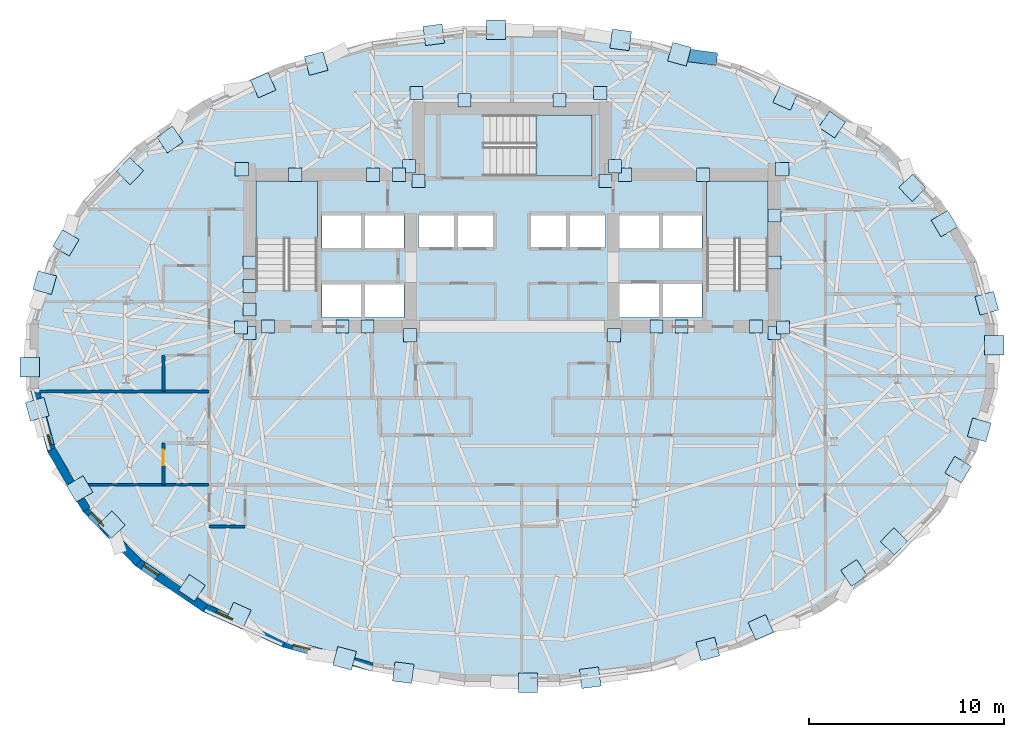
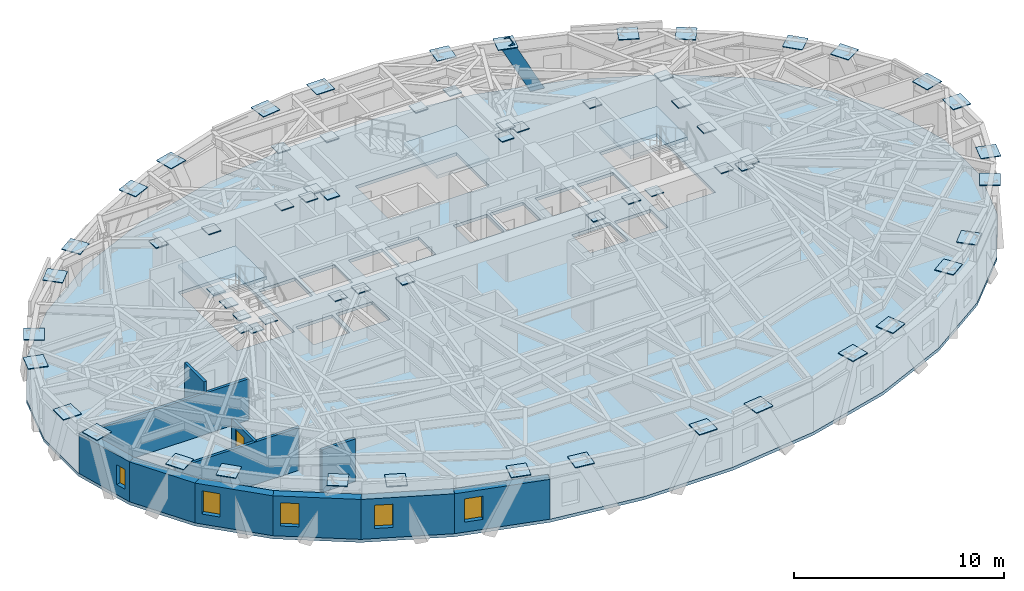
# One storey, part 5 of 14: 64 plates, 11 walls, 5 windows, 4 slabs, 1 door, 1 member, 6 openings, 3 elements without a shape of their own.
"""IFC4 building model written with IfcOpenShell, lengths in metres."""

from ifc_helpers import new_model, si_unit, direction, frame, frame_2d, origin, origin_2d, place, context, subcontext, project, spatial, polyline, rectangle, hollow_rectangle, outline, extrude, material, layer, layer_set, material_profile, profile_set, type_object, element, fill, aggregate, save


model = new_model("IFC4")

# Units and contexts
model_context = context("Model", 3, precision=1e-05, world=origin(), true_north=direction((0.0, 1.0)))
body_context = subcontext(model_context, "Body", "Model", "MODEL_VIEW")
ifc_project = project(units=[si_unit("LENGTHUNIT", "METRE"), si_unit("AREAUNIT", "SQUARE_METRE"), si_unit("VOLUMEUNIT", "CUBIC_METRE"), si_unit("PLANEANGLEUNIT", "RADIAN"), si_unit("MASSUNIT", "GRAM", prefix="KILO")], contexts=[model_context])

# Site, building, storey
site_placement = place(None, origin())
site = spatial("IfcSite", under=ifc_project, at=site_placement, CompositionType="ELEMENT")
building_placement = place(site_placement, origin())
building = spatial("IfcBuilding", under=site, at=building_placement, Name="Keldmark Tower", CompositionType="ELEMENT")
storey_placement = place(building_placement, frame((0.0, 0.0, 169.39990234375)))
storey = spatial("IfcBuildingStorey", under=building, at=storey_placement, Name="L46", CompositionType="ELEMENT", Elevation=169.39990234375)

# Member
ifc_material_1 = material(Name="Steel ASTM A572 Grade 50", Category="steel")
ifc_material_profile = material_profile(ifc_material_1, hollow_rectangle(XDim=0.64990234375, YDim=0.64990234375, WallThickness=0.0400390625, at=origin_2d()), Name="BOX650X650X40")
ifc_profile_set = profile_set([ifc_material_profile], Name="Steel ASTM A572 Grade 50")
member_type = type_object("IfcMemberType", Name="Diagrid Zone 3 Brace BOX650X650X40", PredefinedType="BRACE", material=ifc_profile_set)
member_placement = place(storey_placement, frame((10.236572265625, 15.29638671875, -0.260009765625), z_axis=(-0.459260038876, 0.061001892463, 0.886204821589), x_axis=(-0.131670035445, -0.991293600184, 0.0)))
element("IfcMember", 1, at=member_placement, inside=storey, type_object=member_type, Name="L46 Perimeter Diagrid Brace 03B", PredefinedType="BRACE", context=body_context, shape_type="SweptSolid", body=[
    extrude(hollow_rectangle(XDim=0.64990234375, YDim=0.64990234375, WallThickness=0.0400390625, at=origin_2d()), origin(), (0.0, 0.0, 1.0), 3.56591796875),
])

# Plates
ifc_material_2 = material(Name="Steel ASTM A572 Grade 50", Category="steel")
ifc_layer_1 = layer(ifc_material_2, 0.06005859375)
ifc_layer_set_1 = layer_set([ifc_layer_1], Name="Steel ASTM A572 Grade 50")
plate_type_1 = type_object("IfcPlateType", Name="Belt Truss Kink Node Assembly KN01 60 mm", PredefinedType="USERDEFINED", material=ifc_layer_set_1)
for number, where, z_axis, x_axis, name in (
    (2, (13.91162109375, 1.473388671875, 2.72412109375), (0.0, 0.0, 1.0), (1.0, 0.0, 0.0), "L46 Core Wall Cast-In Embed Plate 1346"),
    (3, (13.878173828125, 9.608154296875, 2.72412109375), (0.0, 0.0, 1.0), (1.0, 0.0, 0.0), "L46 Core Wall Cast-In Embed Plate 1347"),
    (4, (5.28515625, 9.758544921875, 2.72412109375), (0.0, 0.0, 1.0), (1.0, 0.0, 0.0), "L46 Core Wall Cast-In Embed Plate 1348"),
    (5, (-5.28515625, 9.758544921875, 2.72412109375), (0.0, 0.0, 1.0), (1.0, 0.0, 0.0), "L46 Core Wall Cast-In Embed Plate 1349"),
    (6, (-13.878173828125, 9.608154296875, 2.72412109375), (0.0, 0.0, 1.0), (1.0, 0.0, 0.0), "L46 Core Wall Cast-In Embed Plate 1350"),
    (7, (-13.91162109375, 1.473388671875, 2.72412109375), (0.0, 0.0, 1.0), (1.0, 0.0, 0.0), "L46 Core Wall Cast-In Embed Plate 1351"),
    (8, (-5.24072265625, 1.08251953125, 2.72412109375), (0.0, 0.0, 1.0), (1.0, 0.0, 0.0), "L46 Core Wall Cast-In Embed Plate 1352"),
    (9, (5.24072265625, 1.08251953125, 2.72412109375), (0.0, 0.0, 1.0), (1.0, 0.0, 0.0), "L46 Core Wall Cast-In Embed Plate 1353"),
    (10, (4.800048828125, 9.0, 2.72412109375), (0.0, 0.0, 1.0), (1.0, 0.0, 0.0), "L46 Core Wall Cast-In Embed Plate 1354"),
    (11, (-4.800048828125, 9.0, 2.72412109375), (0.0, 0.0, 1.0), (1.0, 0.0, 0.0), "L46 Core Wall Cast-In Embed Plate 1355"),
    (12, (-13.47509765625, 1.199951171875, 2.72412109375), (0.0, 0.0, 1.0), (1.0, 0.0, 0.0), "L46 Core Wall Cast-In Embed Plate 1356"),
    (13, (-7.425048828125, 1.52490234375, 2.72412109375), (0.0, 0.0, 1.0), (1.0, 0.0, 0.0), "L46 Core Wall Cast-In Embed Plate 1357"),
    (14, (7.425048828125, 1.52490234375, 2.72412109375), (0.0, 0.0, 1.0), (1.0, 0.0, 0.0), "L46 Core Wall Cast-In Embed Plate 1358"),
    (15, (13.47509765625, 1.199951171875, 2.72412109375), (0.0, 0.0, 1.0), (1.0, 0.0, 0.0), "L46 Core Wall Cast-In Embed Plate 1359"),
    (16, (-12.52490234375, 1.52490234375, 2.72412109375), (0.0, 0.0, 1.0), (1.0, 0.0, 0.0), "L46 Core Wall Cast-In Embed Plate 1360"),
    (17, (13.47509765625, 4.8212890625, 2.72412109375), (0.0, 0.0, 1.0), (1.0, 0.0, 0.0), "L46 Core Wall Cast-In Embed Plate 1361"),
    (18, (13.47509765625, 7.235595703125, 2.72412109375), (0.0, 0.0, 1.0), (1.0, 0.0, 0.0), "L46 Core Wall Cast-In Embed Plate 1362"),
    (19, (5.80712890625, 9.324951171875, 2.72412109375), (0.0, 0.0, 1.0), (1.0, 0.0, 0.0), "L46 Core Wall Cast-In Embed Plate 1363"),
    (20, (4.527587890625, 13.522216796875, 2.72412109375), (0.0, 0.0, 1.0), (1.0, 0.0, 0.0), "L46 Core Wall Cast-In Embed Plate 1364"),
    (21, (9.8037109375, 9.324951171875, 2.72412109375), (0.0, 0.0, 1.0), (1.0, 0.0, 0.0), "L46 Core Wall Cast-In Embed Plate 1365"),
    (22, (-4.904296875, 13.522216796875, 2.72412109375), (0.0, 0.0, 1.0), (1.0, 0.0, 0.0), "L46 Core Wall Cast-In Embed Plate 1366"),
    (23, (-11.1357421875, 9.324951171875, 2.72412109375), (0.0, 0.0, 1.0), (1.0, 0.0, 0.0), "L46 Core Wall Cast-In Embed Plate 1367"),
    (24, (-7.139404296875, 9.324951171875, 2.72412109375), (0.0, 0.0, 1.0), (1.0, 0.0, 0.0), "L46 Core Wall Cast-In Embed Plate 1368"),
    (25, (-5.80712890625, 9.324951171875, 2.72412109375), (0.0, 0.0, 1.0), (1.0, 0.0, 0.0), "L46 Core Wall Cast-In Embed Plate 1369"),
    (26, (-13.47509765625, 2.406982421875, 2.72412109375), (0.0, 0.0, 1.0), (1.0, 0.0, 0.0), "L46 Core Wall Cast-In Embed Plate 1370"),
    (27, (-13.47509765625, 3.6142578125, 2.72412109375), (0.0, 0.0, 1.0), (1.0, 0.0, 0.0), "L46 Core Wall Cast-In Embed Plate 1371"),
    (28, (-13.47509765625, 4.8212890625, 2.72412109375), (0.0, 0.0, 1.0), (1.0, 0.0, 0.0), "L46 Core Wall Cast-In Embed Plate 1372"),
    (29, (-8.699951171875, 1.52490234375, 2.72412109375), (0.0, 0.0, 1.0), (1.0, 0.0, 0.0), "L46 Core Wall Cast-In Embed Plate 1373"),
    (30, (8.699951171875, 1.52490234375, 2.72412109375), (0.0, 0.0, 1.0), (1.0, 0.0, 0.0), "L46 Core Wall Cast-In Embed Plate 1374"),
    (31, (12.52490234375, 1.52490234375, 2.72412109375), (0.0, 0.0, 1.0), (1.0, 0.0, 0.0), "L46 Core Wall Cast-In Embed Plate 1375"),
    (32, (2.44580078125, 13.14990234375, 2.72412109375), (0.0, 0.0, 1.0), (1.0, 0.0, 0.0), "L46 Core Wall Cast-In Embed Plate 1376"),
    (33, (-2.44580078125, 13.14990234375, 2.72412109375), (0.0, 0.0, 1.0), (1.0, 0.0, 0.0), "L46 Core Wall Cast-In Embed Plate 1377"),
):
    element("IfcPlate", number, at=place(storey_placement, frame(where, z_axis=z_axis, x_axis=x_axis)), inside=storey, type_object=plate_type_1, Name=name, ObjectType="CAP PLATE", PredefinedType="USERDEFINED", context=body_context, shape_type="SweptSolid", body=[
        extrude(rectangle(XDim=0.679931640625, YDim=0.679931640625, at=origin_2d()), origin(), (0.0, 0.0, 1.0), 0.054931640625),
    ])
ifc_material_3 = material(Name="Steel ASTM A572 Grade 50", Category="steel")
ifc_layer_2 = layer(ifc_material_3, 0.044921875)
ifc_layer_set_2 = layer_set([ifc_layer_2], Name="Steel ASTM A572 Grade 50")
plate_type_2 = type_object("IfcPlateType", Name="Diagrid Node Assembly DN04 45 mm", PredefinedType="USERDEFINED", material=ifc_layer_set_2)
for number, where, z_axis, x_axis, name in (
    (34, (24.38427734375, 2.7216796875, 2.877685546875), (0.0, 0.0, 1.0), (-0.269256011385, 0.963068637394, 0.0), "L46 Diagrid Node Assembly 01"),
    (35, (22.2041015625, 6.812744140625, 2.877685546875), (0.0, 0.0, 1.0), (-0.508891180174, 0.860830858381, 0.0), "L46 Diagrid Node Assembly 02"),
    (36, (20.5615234375, 8.652099609375, 2.877685546875), (0.0, 0.0, 1.0), (-0.694909425092, 0.719097275004, 0.0), "L46 Diagrid Node Assembly 03"),
    (37, (16.439697265625, 11.896484375, 2.877685546875), (0.0, 0.0, 1.0), (-0.827766671236, 0.56107248907, 0.0), "L46 Diagrid Node Assembly 04"),
    (38, (14.047607421875, 13.28759765625, 2.877685546875), (0.0, 0.0, 1.0), (-0.913900054426, 0.405939269498, 0.0), "L46 Diagrid Node Assembly 05"),
    (39, (8.598876953125, 15.513916015625, 2.877685546875), (0.0, 0.0, 1.0), (-0.965016494472, 0.262189178641, 0.0), "L46 Diagrid Node Assembly 06"),
    (40, (5.583740234375, 16.249267578125, 2.877685546875), (0.0, 0.0, 1.0), (-0.991850028246, 0.12741083733, 0.0), "L46 Diagrid Node Assembly 07"),
    (41, (-0.8212890625, 16.774658203125, 2.877685546875), (0.0, 0.0, 1.0), (-1.0, 0.0, 0.0), "L46 Diagrid Node Assembly 08"),
    (42, (-4.017578125, 16.5107421875, 2.877685546875), (0.0, 0.0, 1.0), (-0.991850028246, -0.12741083733, 0.0), "L46 Diagrid Node Assembly 09"),
    (43, (-10.05810546875, 15.033447265625, 2.877685546875), (0.0, 0.0, 1.0), (-0.965016494472, -0.262189178641, 0.0), "L46 Diagrid Node Assembly 10"),
    (44, (-12.776611328125, 13.921630859375, 2.877685546875), (0.0, 0.0, 1.0), (-0.913900054426, -0.405939269498, 0.0), "L46 Diagrid Node Assembly 11"),
    (45, (-17.5673828125, 11.12939453125, 2.877685546875), (0.0, 0.0, 1.0), (-0.827766671236, -0.56107248907, 0.0), "L46 Diagrid Node Assembly 12"),
    (46, (-19.623291015625, 9.5107421875, 2.877685546875), (0.0, 0.0, 1.0), (-0.694909425092, -0.719097275004, 0.0), "L46 Diagrid Node Assembly 13"),
    (47, (-22.91064453125, 5.820068359375, 2.877685546875), (0.0, 0.0, 1.0), (-0.508891180174, -0.860830858381, 0.0), "L46 Diagrid Node Assembly 14"),
    (48, (-23.997314453125, 3.779541015625, 2.877685546875), (0.0, 0.0, 1.0), (-0.269256011385, -0.963068637394, 0.0), "L46 Diagrid Node Assembly 15"),
    (49, (-24.7734375, -0.55859375, 2.877685546875), (0.0, 0.0, 1.0), (0.0, -1.0, 0.0), "L46 Diagrid Node Assembly 16"),
    (50, (-24.38427734375, -2.7216796875, 2.877685546875), (0.0, 0.0, 1.0), (0.269256011385, -0.963068637394, 0.0), "L46 Diagrid Node Assembly 17"),
    (51, (-22.2041015625, -6.812744140625, 2.877685546875), (0.0, 0.0, 1.0), (0.508891180174, -0.860830858381, 0.0), "L46 Diagrid Node Assembly 18"),
    (52, (-20.5615234375, -8.652099609375, 2.877685546875), (0.0, 0.0, 1.0), (0.694909425092, -0.719097275004, 0.0), "L46 Diagrid Node Assembly 19"),
    (53, (-16.439697265625, -11.896484375, 2.877685546875), (0.0, 0.0, 1.0), (0.827766671236, -0.56107248907, 0.0), "L46 Diagrid Node Assembly 20"),
    (54, (-14.047607421875, -13.28759765625, 2.877685546875), (0.0, 0.0, 1.0), (0.913900054426, -0.405939269498, 0.0), "L46 Diagrid Node Assembly 21"),
    (55, (-8.598876953125, -15.513916015625, 2.877685546875), (0.0, 0.0, 1.0), (0.965016494472, -0.262189178641, 0.0), "L46 Diagrid Node Assembly 22"),
    (56, (-5.583740234375, -16.249267578125, 2.877685546875), (0.0, 0.0, 1.0), (0.991850028246, -0.12741083733, 0.0), "L46 Diagrid Node Assembly 23"),
    (57, (0.8212890625, -16.774658203125, 2.877685546875), (0.0, 0.0, 1.0), (1.0, 0.0, 0.0), "L46 Diagrid Node Assembly 24"),
    (58, (4.017578125, -16.5107421875, 2.877685546875), (0.0, 0.0, 1.0), (0.991850028246, 0.12741083733, 0.0), "L46 Diagrid Node Assembly 25"),
    (59, (10.05810546875, -15.033447265625, 2.877685546875), (0.0, 0.0, 1.0), (0.965016494472, 0.262189178641, 0.0), "L46 Diagrid Node Assembly 26"),
    (60, (12.776611328125, -13.921630859375, 2.877685546875), (0.0, 0.0, 1.0), (0.913900054426, 0.405939269498, 0.0), "L46 Diagrid Node Assembly 27"),
    (61, (17.5673828125, -11.12939453125, 2.877685546875), (0.0, 0.0, 1.0), (0.827766671236, 0.56107248907, 0.0), "L46 Diagrid Node Assembly 28"),
    (62, (19.623291015625, -9.5107421875, 2.877685546875), (0.0, 0.0, 1.0), (0.694909425092, 0.719097275004, 0.0), "L46 Diagrid Node Assembly 29"),
    (63, (22.91064453125, -5.820068359375, 2.877685546875), (0.0, 0.0, 1.0), (0.508891180174, 0.860830858381, 0.0), "L46 Diagrid Node Assembly 30"),
    (64, (23.997314453125, -3.779541015625, 2.877685546875), (0.0, 0.0, 1.0), (0.269256011385, 0.963068637394, 0.0), "L46 Diagrid Node Assembly 31"),
    (65, (24.7734375, 0.55859375, 2.877685546875), (0.0, 0.0, 1.0), (0.0, 1.0, 0.0), "L46 Diagrid Node Assembly 32"),
):
    element("IfcPlate", number, at=place(storey_placement, frame(where, z_axis=z_axis, x_axis=x_axis)), inside=storey, type_object=plate_type_2, Name=name, ObjectType="GUSSET", PredefinedType="USERDEFINED", context=body_context, shape_type="SweptSolid", body=[
        extrude(rectangle(XDim=0.989990234375, YDim=0.989990234375, at=origin_2d()), origin(), (0.0, 0.0, 1.0), 0.044921875),
    ])

# Slab
ifc_material_4 = material(Name="Concrete C35/45", Category="concrete")
ifc_layer_3 = layer(ifc_material_4, 0.179931640625)
ifc_layer_set_3 = layer_set([ifc_layer_3], Name="Concrete C35/45")
slab_type_1 = type_object("IfcSlabType", Name="Hotel and Residential Slab 180 mm", PredefinedType="FLOOR", material=ifc_layer_set_3)
slab_1_placement = place(storey_placement, frame((0.0, 0.0, -0.179931640625)))
element("IfcSlab", 66, at=slab_1_placement, inside=storey, type_object=slab_type_1, Name="L46 Composite Structural Floor Slab", PredefinedType="FLOOR", context=body_context, shape_type="SweptSolid", body=[
    extrude(outline(polyline([(24.76611328125, 1.653564453125), (23.85693359375, 4.90576171875), (22.036865234375, 7.984619140625), (19.349853515625, 10.7646484375), (15.8798828125, 13.11669921875), (11.77880859375, 14.93798828125), (7.23681640625, 16.171875), (2.439208984375, 16.7880859375), (-2.439208984375, 16.7880859375), (-7.23681640625, 16.171875), (-11.77880859375, 14.93798828125), (-15.8798828125, 13.11669921875), (-19.349853515625, 10.7646484375), (-22.036865234375, 7.984619140625), (-23.85693359375, 4.90576171875), (-24.76611328125, 1.653564453125), (-24.76611328125, -1.653564453125), (-23.85693359375, -4.90576171875), (-22.036865234375, -7.984619140625), (-19.349853515625, -10.7646484375), (-15.8798828125, -13.11669921875), (-11.77880859375, -14.93798828125), (-7.23681640625, -16.171875), (-2.439208984375, -16.7880859375), (2.439208984375, -16.7880859375), (7.23681640625, -16.171875), (11.77880859375, -14.93798828125), (15.8798828125, -13.11669921875), (19.349853515625, -10.7646484375), (22.036865234375, -7.984619140625), (23.85693359375, -4.90576171875), (24.76611328125, -1.653564453125), (24.76611328125, 1.653564453125)]), holes=[polyline([(-10.0, 3.385009765625), (-10.0, 9.0), (-13.14990234375, 9.0), (-13.14990234375, 3.385009765625), (-10.0, 3.385009765625)]), polyline([(13.14990234375, 3.385009765625), (13.14990234375, 9.0), (10.0, 9.0), (10.0, 3.385009765625), (13.14990234375, 3.385009765625)]), polyline([(-1.43994140625, 9.25), (4.10498046875, 9.25), (4.10498046875, 12.39990234375), (-1.43994140625, 12.39990234375), (-1.43994140625, 9.25)]), polyline([(-9.75, 2.0), (-7.75, 2.0), (-7.75, 3.699951171875), (-9.75, 3.699951171875), (-9.75, 2.0)]), polyline([(7.75, 2.0), (9.75, 2.0), (9.75, 3.699951171875), (7.75, 3.699951171875), (7.75, 2.0)]), polyline([(5.449951171875, 2.0), (7.550048828125, 2.0), (7.550048828125, 3.75), (5.449951171875, 3.75), (5.449951171875, 2.0)]), polyline([(-4.800048828125, 5.60009765625), (-2.949951171875, 5.60009765625), (-2.949951171875, 7.25), (-4.800048828125, 7.25), (-4.800048828125, 5.60009765625)]), polyline([(-2.800048828125, 5.60009765625), (-0.949951171875, 5.60009765625), (-0.949951171875, 7.25), (-2.800048828125, 7.25), (-2.800048828125, 5.60009765625)]), polyline([(0.949951171875, 5.60009765625), (2.800048828125, 5.60009765625), (2.800048828125, 7.25), (0.949951171875, 7.25), (0.949951171875, 5.60009765625)]), polyline([(2.949951171875, 5.60009765625), (4.800048828125, 5.60009765625), (4.800048828125, 7.25), (2.949951171875, 7.25), (2.949951171875, 5.60009765625)]), polyline([(-9.75, 5.550048828125), (-7.75, 5.550048828125), (-7.75, 7.25), (-9.75, 7.25), (-9.75, 5.550048828125)]), polyline([(-7.550048828125, 5.550048828125), (-5.550048828125, 5.550048828125), (-5.550048828125, 7.25), (-7.550048828125, 7.25), (-7.550048828125, 5.550048828125)]), polyline([(-7.550048828125, 2.0), (-5.550048828125, 2.0), (-5.550048828125, 3.699951171875), (-7.550048828125, 3.699951171875), (-7.550048828125, 2.0)]), polyline([(5.449951171875, 5.550048828125), (7.550048828125, 5.550048828125), (7.550048828125, 7.25), (5.449951171875, 7.25), (5.449951171875, 5.550048828125)]), polyline([(7.75, 5.550048828125), (9.75, 5.550048828125), (9.75, 7.25), (7.75, 7.25), (7.75, 5.550048828125)])]), origin(), (0.0, 0.0, 1.0), 0.179931640625),
])

# Stair, slab
ifc_material_5 = material(Name="Concrete C40/50", Category="concrete")
stair_type = type_object("IfcStairType", Name="Precast Concrete Core Exit Stair", PredefinedType="HALF_TURN_STAIR", material=ifc_material_5)
stair_1_placement = place(storey_placement, origin())
stair_1 = element("IfcStair", 67, at=stair_1_placement, inside=storey, type_object=stair_type, Name="L46 Exit Stair ST1", PredefinedType="HALF_TURN_STAIR")
ifc_material_6 = material(Name="Concrete C40/50", Category="concrete")
ifc_layer_4 = layer(ifc_material_6, 0.199951171875)
ifc_layer_set_4 = layer_set([ifc_layer_4], Name="Concrete C40/50")
slab_type_2 = type_object("IfcSlabType", Name="Reinforced Concrete Stair Landing 200 mm", PredefinedType="LANDING", material=ifc_layer_set_4)
slab_2_placement = place(storey_placement, frame((0.0, 0.0, 1.400146484375)))
slab_2 = element("IfcSlab", 68, at=slab_2_placement, type_object=slab_type_2, Name="ST1 landing 1", PredefinedType="LANDING", context=body_context, shape_type="SweptSolid", body=[
    extrude(outline(polyline([(-10.0, 6.050048828125), (-10.0, 9.0), (-13.14990234375, 9.0), (-13.14990234375, 6.050048828125), (-10.0, 6.050048828125)])), origin(), (0.0, 0.0, 1.0), 0.199951171875),
])
aggregate(stair_1, [slab_2])

stair_2_placement = place(storey_placement, origin())
stair_2 = element("IfcStair", 69, at=stair_2_placement, inside=storey, type_object=stair_type, Name="L46 Exit Stair ST2", PredefinedType="HALF_TURN_STAIR")
slab_3_placement = place(storey_placement, frame((0.0, 0.0, 1.400146484375)))
slab_3 = element("IfcSlab", 70, at=slab_3_placement, type_object=slab_type_2, Name="ST2 landing 1", PredefinedType="LANDING", context=body_context, shape_type="SweptSolid", body=[
    extrude(outline(polyline([(13.14990234375, 6.050048828125), (13.14990234375, 9.0), (10.0, 9.0), (10.0, 6.050048828125), (13.14990234375, 6.050048828125)])), origin(), (0.0, 0.0, 1.0), 0.199951171875),
])
aggregate(stair_2, [slab_3])

stair_3_placement = place(storey_placement, origin())
stair_3 = element("IfcStair", 71, at=stair_3_placement, inside=storey, type_object=stair_type, Name="L46 Exit Stair ST3", PredefinedType="HALF_TURN_STAIR")
slab_4_placement = place(storey_placement, frame((0.0, 0.0, 1.400146484375)))
slab_4 = element("IfcSlab", 72, at=slab_4_placement, type_object=slab_type_2, Name="ST3 landing 1", PredefinedType="LANDING", context=body_context, shape_type="SweptSolid", body=[
    extrude(outline(polyline([(1.22509765625, 9.25), (4.10498046875, 9.25), (4.10498046875, 12.39990234375), (1.22509765625, 12.39990234375), (1.22509765625, 9.25)])), origin(), (0.0, 0.0, 1.0), 0.199951171875),
])
aggregate(stair_3, [slab_4])

# Wall, opening, window
ifc_material_7 = material(Name="Ironspot Manganese Brick and Kasota Buff Limestone Spandrel Assembly", Category="masonry")
ifc_layer_5 = layer(ifc_material_7, 0.43994140625)
ifc_layer_set_5 = layer_set([ifc_layer_5], Name="Ironspot Manganese Brick and Kasota Buff Limestone Spandrel Assembly")
wall_type_1 = type_object("IfcWallType", Name="Tower Brick Pier and Spandrel Wall 440 mm", PredefinedType="STANDARD", material=ifc_layer_set_5)
wall_1_placement = place(storey_placement, frame((-23.64501953125, -4.846435546875, 0.0), z_axis=(0.0, 0.0, 1.0), x_axis=(-0.269235699479, 0.963074315993, 0.0)))
wall_1 = element("IfcWall", 73, at=wall_1_placement, inside=storey, type_object=wall_type_1, Name="L46 Exterior Brick and Spandrel Wall 17", PredefinedType="STANDARD", context=body_context, shape_type="SweptSolid", body=[
    extrude(rectangle(XDim=3.376953125, YDim=0.43994140625, at=frame_2d((1.6884765625, 0.0))), origin(), (0.0, 0.0, 1.0), 2.315185546875),
])
opening_1_placement = place(wall_1_placement, frame((0.289306640625, 0.0, 0.580078125)))
opening_1 = element("IfcOpeningElement", 74, at=opening_1_placement, cuts=wall_1, Name="Opening W-10", PredefinedType="OPENING", context=body_context, shape_type="SweptSolid", body=[
    extrude(rectangle(XDim=0.56005859375, YDim=1.14990234375, at=frame_2d((0.280029296875, 0.574951171875))), frame((0.0, 0.22998046875, 0.0), z_axis=(0.0, -1.0, 0.0), x_axis=(1.0, 0.0, 0.0)), (0.0, 0.0, 1.0), 0.4599609375),
])
ifc_material_8 = material(Name="Thermally Broken Anodized Aluminum and Triple Low-E Argon Glazing", Category="aluminium")
window_type_1 = type_object("IfcWindowType", Name="Narrow Pier Lancet Window 560x1150", PartitioningType="SINGLE_PANEL", PredefinedType="WINDOW", material=ifc_material_8)
window_1_placement = place(opening_1_placement, origin())
window_1 = element("IfcWindow", 75, at=window_1_placement, inside=storey, type_object=window_type_1, Name="L46 Pier Window RM01", OverallHeight=1.14990234375, OverallWidth=0.56005859375, PartitioningType="SINGLE_PANEL", PredefinedType="WINDOW", context=body_context, shape_type="SweptSolid", body=[
    extrude(rectangle(XDim=0.56005859375, YDim=1.14990234375, at=frame_2d((0.280029296875, 0.574951171875))), frame((0.0, -0.010009765625, 0.0), z_axis=(0.0, -1.0, 0.0), x_axis=(1.0, 0.0, 0.0)), (0.0, 0.0, 1.0), 0.06005859375),
])
fill(opening_1, window_1)

# Wall
wall_2_placement = place(storey_placement, frame((-21.847412109375, -7.87255859375, 0.0), z_axis=(0.0, 0.0, 1.0), x_axis=(-0.508883387051, 0.860835465338, 0.0)))
element("IfcWall", 76, at=wall_2_placement, inside=storey, type_object=wall_type_1, Name="L46 Exterior Brick and Spandrel Wall 18", PredefinedType="STANDARD", context=body_context, shape_type="SweptSolid", body=[
    extrude(rectangle(XDim=3.57666015625, YDim=0.43994140625, at=frame_2d((1.788330078125, 0.0))), origin(), (0.0, 0.0, 1.0), 2.315185546875),
])

# Wall, opening, window
wall_3_placement = place(storey_placement, frame((-19.191650390625, -10.61181640625, 0.0), z_axis=(0.0, 0.0, 1.0), x_axis=(-0.694975307772, 0.719033602544, 0.0)))
wall_3 = element("IfcWall", 77, at=wall_3_placement, inside=storey, type_object=wall_type_1, Name="L46 Exterior Brick and Spandrel Wall 19", PredefinedType="STANDARD", context=body_context, shape_type="SweptSolid", body=[
    extrude(rectangle(XDim=3.866455078125, YDim=0.43994140625, at=frame_2d((1.93310546875, 0.0))), origin(), (0.0, 0.0, 1.0), 2.315185546875),
])
opening_2_placement = place(wall_3_placement, frame((2.6181640625, 0.0, 0.580078125)))
opening_2 = element("IfcOpeningElement", 78, at=opening_2_placement, cuts=wall_3, Name="Opening W-09", PredefinedType="OPENING", context=body_context, shape_type="SweptSolid", body=[
    extrude(rectangle(XDim=0.89990234375, YDim=1.35009765625, at=frame_2d((0.449951171875, 0.675048828125))), frame((0.0, 0.22998046875, 0.0), z_axis=(0.0, -1.0, 0.0), x_axis=(1.0, 0.0, 0.0)), (0.0, 0.0, 1.0), 0.4599609375),
])
ifc_material_9 = material(Name="Thermally Broken Anodized Aluminum and Triple Low-E Argon Glazing", Category="aluminium")
window_type_2 = type_object("IfcWindowType", Name="Corner Pier Deep-Set Window 900x1350", PartitioningType="SINGLE_PANEL", PredefinedType="WINDOW", material=ifc_material_9)
window_2_placement = place(opening_2_placement, origin())
window_2 = element("IfcWindow", 79, at=window_2_placement, inside=storey, type_object=window_type_2, Name="L46 Deep-Set Window 19", OverallHeight=1.35009765625, OverallWidth=0.89990234375, PartitioningType="SINGLE_PANEL", PredefinedType="WINDOW", context=body_context, shape_type="SweptSolid", body=[
    extrude(rectangle(XDim=0.89990234375, YDim=1.35009765625, at=frame_2d((0.449951171875, 0.675048828125))), frame((0.0, -0.010009765625, 0.0), z_axis=(0.0, -1.0, 0.0), x_axis=(1.0, 0.0, 0.0)), (0.0, 0.0, 1.0), 0.06005859375),
])
fill(opening_2, window_2)

wall_4_placement = place(storey_placement, frame((-15.756591796875, -12.9345703125, 0.0), z_axis=(0.0, 0.0, 1.0), x_axis=(-0.827760762475, 0.561081206338, 0.0)))
wall_4 = element("IfcWall", 80, at=wall_4_placement, inside=storey, type_object=wall_type_1, Name="L46 Exterior Brick and Spandrel Wall 20", PredefinedType="STANDARD", context=body_context, shape_type="SweptSolid", body=[
    extrude(rectangle(XDim=4.19189453125, YDim=0.43994140625, at=frame_2d((2.095947265625, 0.0))), origin(), (0.0, 0.0, 1.0), 2.319091796875),
])
opening_3_placement = place(wall_4_placement, frame((2.9423828125, 0.0, 0.580078125)))
opening_3 = element("IfcOpeningElement", 81, at=opening_3_placement, cuts=wall_4, Name="Opening W-09", PredefinedType="OPENING", context=body_context, shape_type="SweptSolid", body=[
    extrude(rectangle(XDim=0.89990234375, YDim=1.35009765625, at=frame_2d((0.449951171875, 0.675048828125))), frame((0.0, 0.22998046875, 0.0), z_axis=(0.0, -1.0, 0.0), x_axis=(1.0, 0.0, 0.0)), (0.0, 0.0, 1.0), 0.4599609375),
])
window_3_placement = place(opening_3_placement, origin())
window_3 = element("IfcWindow", 82, at=window_3_placement, inside=storey, type_object=window_type_2, Name="L46 Deep-Set Window 20", OverallHeight=1.35009765625, OverallWidth=0.89990234375, PartitioningType="SINGLE_PANEL", PredefinedType="WINDOW", context=body_context, shape_type="SweptSolid", body=[
    extrude(rectangle(XDim=0.89990234375, YDim=1.35009765625, at=frame_2d((0.449951171875, 0.675048828125))), frame((0.0, -0.010009765625, 0.0), z_axis=(0.0, -1.0, 0.0), x_axis=(1.0, 0.0, 0.0)), (0.0, 0.0, 1.0), 0.06005859375),
])
fill(opening_3, window_3)

wall_5_placement = place(storey_placement, frame((-11.689697265625, -14.737060546875, 0.0), z_axis=(0.0, 0.0, 1.0), x_axis=(-0.913907994914, 0.405921392431, 0.0)))
wall_5 = element("IfcWall", 83, at=wall_5_placement, inside=storey, type_object=wall_type_1, Name="L46 Exterior Brick and Spandrel Wall 21", PredefinedType="STANDARD", context=body_context, shape_type="SweptSolid", body=[
    extrude(rectangle(XDim=4.4873046875, YDim=0.43994140625, at=frame_2d((2.24365234375, 0.0))), origin(), (0.0, 0.0, 1.0), 2.315185546875),
])
opening_4_placement = place(wall_5_placement, frame((2.939208984375, 0.0, 0.580078125)))
opening_4 = element("IfcOpeningElement", 84, at=opening_4_placement, cuts=wall_5, Name="Opening W-09", PredefinedType="OPENING", context=body_context, shape_type="SweptSolid", body=[
    extrude(rectangle(XDim=0.89990234375, YDim=1.35009765625, at=frame_2d((0.449951171875, 0.675048828125))), frame((0.0, 0.22998046875, 0.0), z_axis=(0.0, -1.0, 0.0), x_axis=(1.0, 0.0, 0.0)), (0.0, 0.0, 1.0), 0.4599609375),
])
window_4_placement = place(opening_4_placement, origin())
window_4 = element("IfcWindow", 85, at=window_4_placement, inside=storey, type_object=window_type_2, Name="L46 Deep-Set Window 21", OverallHeight=1.35009765625, OverallWidth=0.89990234375, PartitioningType="SINGLE_PANEL", PredefinedType="WINDOW", context=body_context, shape_type="SweptSolid", body=[
    extrude(rectangle(XDim=0.89990234375, YDim=1.35009765625, at=frame_2d((0.449951171875, 0.675048828125))), frame((0.0, -0.010009765625, 0.0), z_axis=(0.0, -1.0, 0.0), x_axis=(1.0, 0.0, 0.0)), (0.0, 0.0, 1.0), 0.06005859375),
])
fill(opening_4, window_4)

wall_6_placement = place(storey_placement, frame((-7.17919921875, -15.95947265625, 0.0), z_axis=(0.0, 0.0, 1.0), x_axis=(-0.965037424263, 0.262112132058, 0.0)))
wall_6 = element("IfcWall", 86, at=wall_6_placement, inside=storey, type_object=wall_type_1, Name="L46 Exterior Brick and Spandrel Wall 22", PredefinedType="STANDARD", context=body_context, shape_type="SweptSolid", body=[
    extrude(rectangle(XDim=4.70654296875, YDim=0.43994140625, at=frame_2d((2.353271484375, 0.0))), origin(), (0.0, 0.0, 1.0), 2.315185546875),
])
opening_5_placement = place(wall_6_placement, frame((3.310302734375, 0.0, 0.580078125)))
opening_5 = element("IfcOpeningElement", 87, at=opening_5_placement, cuts=wall_6, Name="Opening W-09", PredefinedType="OPENING", context=body_context, shape_type="SweptSolid", body=[
    extrude(rectangle(XDim=0.89990234375, YDim=1.35009765625, at=frame_2d((0.449951171875, 0.675048828125))), frame((0.0, 0.22998046875, 0.0), z_axis=(0.0, -1.0, 0.0), x_axis=(1.0, 0.0, 0.0)), (0.0, 0.0, 1.0), 0.4599609375),
])
window_5_placement = place(opening_5_placement, origin())
window_5 = element("IfcWindow", 88, at=window_5_placement, inside=storey, type_object=window_type_2, Name="L46 Deep-Set Window 22", OverallHeight=1.35009765625, OverallWidth=0.89990234375, PartitioningType="SINGLE_PANEL", PredefinedType="WINDOW", context=body_context, shape_type="SweptSolid", body=[
    extrude(rectangle(XDim=0.89990234375, YDim=1.35009765625, at=frame_2d((0.449951171875, 0.675048828125))), frame((0.0, -0.010009765625, 0.0), z_axis=(0.0, -1.0, 0.0), x_axis=(1.0, 0.0, 0.0)), (0.0, 0.0, 1.0), 0.06005859375),
])
fill(opening_5, window_5)

# Walls
ifc_material_10 = material(Name="Moisture-Resistant Gypsum Plumbing Partition", Category="gypsum")
ifc_layer_6 = layer(ifc_material_10, 0.14990234375)
ifc_layer_set_6 = layer_set([ifc_layer_6], Name="Moisture-Resistant Gypsum Plumbing Partition")
wall_type_2 = type_object("IfcWallType", Name="Wet Wall 150 mm", PredefinedType="PLUMBINGWALL", material=ifc_layer_set_6)
wall_7_placement = place(storey_placement, frame((-22.334716796875, -6.60009765625, 0.0), z_axis=(0.0, 0.0, 1.0), x_axis=(1.0, 0.0, 0.0)))
element("IfcWall", 89, at=wall_7_placement, inside=storey, type_object=wall_type_2, Name="L46 Wet Wall 150 mm HW-CAP-S", PredefinedType="PLUMBINGWALL", context=body_context, shape_type="SweptSolid", body=[
    extrude(rectangle(XDim=6.78466796875, YDim=0.14990234375, at=frame_2d((3.392333984375, 0.0))), origin(), (0.0, 0.0, 1.0), 2.47314453125),
])
wall_8_placement = place(storey_placement, frame((-15.550048828125, -8.75, 0.0), z_axis=(0.0, 0.0, 1.0), x_axis=(1.0, 0.0, 0.0)))
element("IfcWall", 90, at=wall_8_placement, inside=storey, type_object=wall_type_2, Name="L46 Wet Wall 150 mm HB-S1-S", PredefinedType="PLUMBINGWALL", context=body_context, shape_type="SweptSolid", body=[
    extrude(rectangle(XDim=1.85009765625, YDim=0.14990234375, at=frame_2d((0.925048828125, 0.0))), origin(), (0.0, 0.0, 1.0), 2.47314453125),
])
wall_9_placement = place(storey_placement, frame((-24.260009765625, -1.800048828125, 0.0), z_axis=(0.0, 0.0, 1.0), x_axis=(1.0, 0.0, 0.0)))
element("IfcWall", 91, at=wall_9_placement, inside=storey, type_object=wall_type_2, Name="L46 Wet Wall 150 mm HW-DIV-1", PredefinedType="PLUMBINGWALL", context=body_context, shape_type="SweptSolid", body=[
    extrude(rectangle(XDim=8.7099609375, YDim=0.14990234375, at=frame_2d((4.35498046875, 0.0))), origin(), (0.0, 0.0, 1.0), 2.398193359375),
])

# Wall, opening, door
wall_10_placement = place(storey_placement, frame((-17.89990234375, -6.60009765625, 0.0), z_axis=(0.0, 0.0, 1.0), x_axis=(0.0, 1.0, 0.0)))
wall_10 = element("IfcWall", 92, at=wall_10_placement, inside=storey, type_object=wall_type_2, Name="L46 Wet Wall 150 mm HB-3-IN", PredefinedType="PLUMBINGWALL", context=body_context, shape_type="SweptSolid", body=[
    extrude(rectangle(XDim=2.150146484375, YDim=0.14990234375, at=frame_2d((1.0751953125, 0.0))), origin(), (0.0, 0.0, 1.0), 2.47314453125),
])
opening_6_placement = place(wall_10_placement, frame((1.0, 0.0, 0.0)))
opening_6 = element("IfcOpeningElement", 93, at=opening_6_placement, cuts=wall_10, Name="Opening D-BT080", PredefinedType="OPENING", context=body_context, shape_type="SweptSolid", body=[
    extrude(rectangle(XDim=0.800048828125, YDim=2.10009765625, at=frame_2d((0.39990234375, 1.050048828125))), frame((0.0, 0.0849609375, 0.0), z_axis=(0.0, -1.0, 0.0), x_axis=(1.0, 0.0, 0.0)), (0.0, 0.0, 1.0), 0.169921875),
])
ifc_material_11 = material(Name="Moisture-Sealed Stained Wood", Category="wood")
door_type = type_object("IfcDoorType", Name="Bathroom Door 800x2100", OperationType="NOTDEFINED", PredefinedType="DOOR", material=ifc_material_11)
door_placement = place(opening_6_placement, origin())
door = element("IfcDoor", 94, at=door_placement, inside=storey, type_object=door_type, Name="L46 Bathroom Door 800x2100 D-HB-3-L46", OperationType="SINGLE_SWING_LEFT", OverallHeight=2.10009765625, OverallWidth=0.800048828125, PredefinedType="DOOR", context=body_context, shape_type="SweptSolid", body=[
    extrude(rectangle(XDim=0.800048828125, YDim=2.10009765625, at=frame_2d((0.39990234375, 1.050048828125))), frame((0.0, 0.02490234375, 0.0), z_axis=(0.0, -1.0, 0.0), x_axis=(1.0, 0.0, 0.0)), (0.0, 0.0, 1.0), 0.050048828125),
])
fill(opening_6, door)

# Wall
wall_11_placement = place(storey_placement, frame((-17.89990234375, -1.800048828125, 0.0), z_axis=(0.0, 0.0, 1.0), x_axis=(0.0, 1.0, 0.0)))
element("IfcWall", 95, at=wall_11_placement, inside=storey, type_object=wall_type_2, Name="L46 Wet Wall 150 mm HB-4-IN", PredefinedType="PLUMBINGWALL", context=body_context, shape_type="SweptSolid", body=[
    extrude(rectangle(XDim=1.85009765625, YDim=0.14990234375, at=frame_2d((0.925048828125, 0.0))), origin(), (0.0, 0.0, 1.0), 3.02001953125),
])

save(model, "model.ifc")
